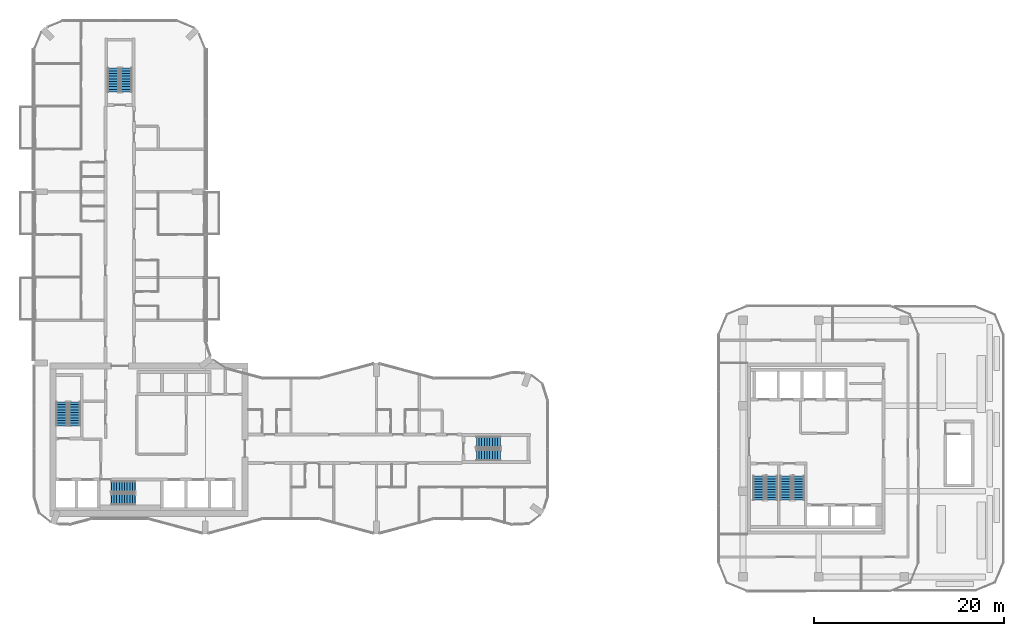
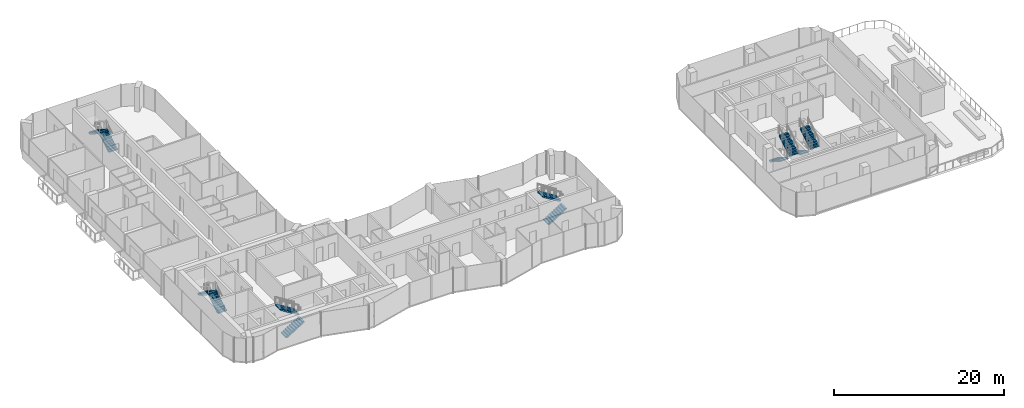
# One storey, part 19 of 22: 12 stair flights, 6 elements without a shape of their own.
"""IFC4 building model written with IfcOpenShell, lengths in metres."""

import ifcopenshell
import ifcopenshell.guid

model = None  # the IFC model being written
_history = None  # IfcOwnerHistory: only IFC2X3 demands one
_inside = {}  # id of a spatial element -> (the spatial element, [elements in it])
_under = {}  # id of a project, library or spatial element -> (it, [spatial elements below it])
_declared = {}  # id of a project -> (the project, [libraries it declares])
_typed = {}  # id of a type object -> (the type object, [elements of that type])
_made_of = {}  # id of a material, layer set ... -> (it, [elements and type objects made of it])


def new_model(schema):
    """Start an empty IFC model of exactly this schema.

    Asked for "IFC4X3", IfcOpenShell would pick the latest addendum, in which some entities
    have other attributes; the version numbers below select the first issue.
    IFC2X3 requires an IfcOwnerHistory on every rooted entity: one is made here for all.
    """
    global model, _history
    if schema == "IFC4X3":
        model = ifcopenshell.file(schema_version=(4, 3, 0, 0))
    else:
        model = ifcopenshell.file(schema=schema)
    _inside.clear()
    _under.clear()
    _declared.clear()
    _typed.clear()
    _made_of.clear()
    _history = None
    if model.schema == "IFC2X3":
        org = make("IfcOrganization", Name="unknown")
        user = make(
            "IfcPersonAndOrganization",
            ThePerson=make("IfcPerson", FamilyName="unknown"),
            TheOrganization=org,
        )
        app = make(
            "IfcApplication",
            ApplicationDeveloper=org,
            Version="unknown",
            ApplicationFullName="unknown",
            ApplicationIdentifier="unknown",
        )
        _history = make(
            "IfcOwnerHistory",
            OwningUser=user,
            OwningApplication=app,
            ChangeAction="ADDED",
            CreationDate=0,
        )
    return model


def make(cls, **values):
    """One entity of the class cls with the attributes given. An attribute that is None is left unset."""
    return model.create_entity(
        cls, **{name: value for name, value in values.items() if value is not None}
    )


def rooted(cls, **values):
    """An entity with a GlobalId (a new one), such as an element, a storey or a relation."""
    return make(cls, GlobalId=ifcopenshell.guid.new(), OwnerHistory=_history, **values)


def si_unit(unit_type, name, prefix=None):
    """IfcSIUnit, for example si_unit("LENGTHUNIT", "METRE", prefix="MILLI")."""
    return make("IfcSIUnit", UnitType=unit_type, Prefix=prefix, Name=name)


def assignment(units):
    """IfcUnitAssignment: the units of a project."""
    return None if units is None else make("IfcUnitAssignment", Units=units)


def point(xyz):
    """IfcCartesianPoint."""
    return None if xyz is None else make("IfcCartesianPoint", Coordinates=xyz)


def direction(xyz):
    """IfcDirection."""
    return None if xyz is None else make("IfcDirection", DirectionRatios=xyz)


def frame(location, z_axis=None, x_axis=None):
    """IfcAxis2Placement3D, a coordinate frame: its origin and axes. An axis left out is left unset."""
    return make(
        "IfcAxis2Placement3D",
        Location=point(location),
        Axis=direction(z_axis),
        RefDirection=direction(x_axis),
    )


def origin():
    """The frame at (0, 0, 0) with its axes left unset."""
    return frame((0.0, 0.0, 0.0))


def place(relative_to, where):
    """IfcLocalPlacement: puts the frame where relative to a parent placement (None: the world)."""
    return make(
        "IfcLocalPlacement", PlacementRelTo=relative_to, RelativePlacement=where
    )


def context(
    kind, dimensions, precision=None, world=None, true_north=None, identifier=None
):
    """IfcGeometricRepresentationContext, for example the 3D "Model" context."""
    return make(
        "IfcGeometricRepresentationContext",
        ContextIdentifier=identifier,
        ContextType=kind,
        CoordinateSpaceDimension=dimensions,
        Precision=precision,
        WorldCoordinateSystem=world,
        TrueNorth=true_north,
    )


def subcontext(parent, identifier, kind, view, scale=None):
    """IfcGeometricRepresentationSubContext, for example "Body" below "Model"."""
    return make(
        "IfcGeometricRepresentationSubContext",
        ContextIdentifier=identifier,
        ContextType=kind,
        ParentContext=parent,
        TargetScale=scale,
        TargetView=view,
    )


def project(units=None, contexts=None):
    """IfcProject with its units and contexts."""
    return rooted(
        "IfcProject",
        Name="project",
        RepresentationContexts=contexts,
        UnitsInContext=assignment(units),
    )


def spatial(cls, under=None, at=None, **own):
    """A site, building, storey or space (cls), placed at a placement, below another one or the project."""
    s = rooted(cls, ObjectPlacement=at, **own)
    if under is not None:
        _under.setdefault(under.id(), (under, []))[1].append(s)
    return s


def polyline(points):
    """IfcPolyline through the points."""
    return make("IfcPolyline", Points=[point(p) for p in points])


def outline(outer, holes=None, kind="AREA"):
    """IfcArbitraryClosedProfileDef: a profile drawn as a closed curve; with holes, ...WithVoids."""
    if holes is None:
        return make("IfcArbitraryClosedProfileDef", ProfileType=kind, OuterCurve=outer)
    return make(
        "IfcArbitraryProfileDefWithVoids",
        ProfileType=kind,
        OuterCurve=outer,
        InnerCurves=holes,
    )


def extrude(swept, where, along, depth):
    """IfcExtrudedAreaSolid: the profile swept, set in the frame where, extruded along a direction by depth."""
    return make(
        "IfcExtrudedAreaSolid",
        SweptArea=swept,
        Position=where,
        ExtrudedDirection=direction(along),
        Depth=depth,
    )


def shape(context_of_items, identifier, shape_type, items):
    """IfcShapeRepresentation: the items that make up one representation, for example the "Body"."""
    return make(
        "IfcShapeRepresentation",
        ContextOfItems=context_of_items,
        RepresentationIdentifier=identifier,
        RepresentationType=shape_type,
        Items=items,
    )


def material(Name=None, Category=None):
    """IfcMaterial."""
    return make("IfcMaterial", Name=Name, Category=Category)


def made_of(thing, what):
    """Note that an element or type object is made of a material, layer set ...; save() writes the relation."""
    if what is not None:
        _made_of.setdefault(what.id(), (what, []))[1].append(thing)
    return thing


def type_object(cls, material=None, **own):
    """A type object (cls), such as IfcWallType, which elements share."""
    return made_of(rooted(cls, **own), material)


def element(
    cls,
    number,
    at=None,
    inside=None,
    cuts=None,
    type_object=None,
    material=None,
    context=None,
    identifier="Body",
    shape_type=None,
    held_by="IfcProductDefinitionShape",
    body=None,
    shapes=None,
    **own,
):
    """One element of the class cls, such as IfcWall. Its Tag is "e" and its number.

    at: its placement. inside: the storey or other place that contains it. cuts: it is an
    opening in that element (IfcRelVoidsElement). A single representation is given by context,
    identifier, shape_type and body (its items); several are given by shapes. held_by: the class
    of the entity that holds the representations. save() writes the other relations.
    """
    e = rooted(cls, Tag="e%d" % number, ObjectPlacement=at, **own)
    if body is not None:
        shapes = [shape(context, identifier, shape_type, body)]
    if shapes is not None:
        e.Representation = make(held_by, Representations=shapes)
    if inside is not None:
        _inside.setdefault(inside.id(), (inside, []))[1].append(e)
    if cuts is not None:
        rooted(
            "IfcRelVoidsElement", RelatingBuildingElement=cuts, RelatedOpeningElement=e
        )
    if type_object is not None:
        _typed.setdefault(type_object.id(), (type_object, []))[1].append(e)
    return made_of(e, material)


def aggregate(whole, parts):
    """IfcRelAggregates: a whole, such as a stair, and the parts it consists of."""
    return rooted("IfcRelAggregates", RelatingObject=whole, RelatedObjects=parts)


def save(model, path):
    """Write the relations noted so far, then the file.

    IfcRelAggregates (storeys below a building ...), IfcRelContainedInSpatialStructure (elements
    in a storey), IfcRelDefinesByType, IfcRelAssociatesMaterial and IfcRelDeclares: one each for
    every whole, place, type object, material and project.
    """
    for whole, parts in _under.values():
        aggregate(whole, parts)
    for where, things in _inside.values():
        rooted(
            "IfcRelContainedInSpatialStructure",
            RelatedElements=things,
            RelatingStructure=where,
        )
    for kind, things in _typed.values():
        rooted("IfcRelDefinesByType", RelatedObjects=things, RelatingType=kind)
    for what, things in _made_of.values():
        rooted("IfcRelAssociatesMaterial", RelatedObjects=things, RelatingMaterial=what)
    for by, libraries in _declared.values():
        rooted("IfcRelDeclares", RelatingContext=by, RelatedDefinitions=libraries)
    model.write(path)


model = new_model("IFC4")

# Units and contexts
model_context = context("Model", 3, precision=1e-05, world=origin(), true_north=direction((0.0, 1.0)))
body_context = subcontext(model_context, "Body", "Model", "MODEL_VIEW")
ifc_project = project(units=[si_unit("LENGTHUNIT", "METRE"), si_unit("AREAUNIT", "SQUARE_METRE"), si_unit("VOLUMEUNIT", "CUBIC_METRE"), si_unit("PLANEANGLEUNIT", "RADIAN"), si_unit("MASSUNIT", "GRAM", prefix="KILO")], contexts=[model_context])

# Site, building, storey
site_placement = place(None, origin())
site = spatial("IfcSite", under=ifc_project, at=site_placement, CompositionType="ELEMENT")
building_placement = place(site_placement, origin())
building = spatial("IfcBuilding", under=site, at=building_placement, Name="Plateau Cross Towers", CompositionType="ELEMENT")
storey_placement = place(building_placement, frame((0.0, 0.0, 116.800048828125)))
storey = spatial("IfcBuildingStorey", under=building, at=storey_placement, Name="L30", CompositionType="ELEMENT", Elevation=116.800048828125)

# Stair, stair flights
ifc_material = material(Name="Concrete C40/50", Category="concrete")
stair_type = type_object("IfcStairType", Name="ST-TWR", PredefinedType="HALF_TURN_STAIR", material=ifc_material)
stair_1_placement = place(storey_placement, origin())
stair_1 = element("IfcStair", 1, at=stair_1_placement, inside=storey, type_object=stair_type, Name="L30 Protected Exit Stair ST-1", PredefinedType="HALF_TURN_STAIR")
stair_flight_type = type_object("IfcStairFlightType", Name="SFL-RC", PredefinedType="STRAIGHT", material=ifc_material)
stair_flight_1_placement = place(storey_placement, frame((4.25, 11.39990234375, 0.0), z_axis=(0.0, 0.0, 1.0), x_axis=(0.0, 1.0, 0.0)))
stair_flight_1 = element("IfcStairFlight", 2, at=stair_flight_1_placement, type_object=stair_flight_type, Name="ST-1 flight 1", NumberOfRisers=10, NumberOfTreads=9, PredefinedType="STRAIGHT", RiserHeight=0.175, TreadLength=0.28, context=body_context, shape_type="SweptSolid", body=[
    extrude(outline(polyline([(-0.0048828125, -0.010009765625), (-0.0048828125, 0.0), (0.0, 0.0), (0.0, 0.175048828125), (0.280029296875, 0.175048828125), (0.280029296875, 0.35009765625), (0.56005859375, 0.35009765625), (0.56005859375, 0.52490234375), (0.840087890625, 0.52490234375), (0.840087890625, 0.699951171875), (1.1201171875, 0.699951171875), (1.1201171875, 0.875), (1.39990234375, 0.875), (1.39990234375, 1.050048828125), (1.679931640625, 1.050048828125), (1.679931640625, 1.22509765625), (1.9599609375, 1.22509765625), (1.9599609375, 1.39990234375), (2.239990234375, 1.39990234375), (2.239990234375, 1.574951171875), (2.52001953125, 1.574951171875), (2.52490234375, 1.56494140625), (2.52490234375, 1.398193359375), (2.52001953125, 1.398193359375), (0.28271484375, 0.0), (0.02001953125, 0.0), (0.02001953125, -0.010009765625), (-0.0048828125, -0.010009765625)])), frame((0.0, 0.60009765625, 0.0), z_axis=(0.0, -1.0, 0.0), x_axis=(1.0, 0.0, 0.0)), (0.0, 0.0, 1.0), 1.199951171875),
])
stair_flight_2_placement = place(storey_placement, frame((2.89990234375, 13.919921875, 1.75), z_axis=(0.0, 0.0, 1.0), x_axis=(0.0, -1.0, 0.0)))
stair_flight_2 = element("IfcStairFlight", 3, at=stair_flight_2_placement, type_object=stair_flight_type, Name="ST-1 flight 2", NumberOfRisers=10, NumberOfTreads=9, PredefinedType="STRAIGHT", RiserHeight=0.175, TreadLength=0.28, context=body_context, shape_type="SweptSolid", body=[
    extrude(outline(polyline([(-0.0048828125, -0.010009765625), (-0.0048828125, 0.0), (0.0, 0.0), (0.0, 0.175048828125), (0.280029296875, 0.175048828125), (0.280029296875, 0.35009765625), (0.56005859375, 0.35009765625), (0.56005859375, 0.52490234375), (0.840087890625, 0.52490234375), (0.840087890625, 0.699951171875), (1.1201171875, 0.699951171875), (1.1201171875, 0.875), (1.39990234375, 0.875), (1.39990234375, 1.050048828125), (1.679931640625, 1.050048828125), (1.679931640625, 1.22509765625), (1.9599609375, 1.22509765625), (1.9599609375, 1.39990234375), (2.239990234375, 1.39990234375), (2.239990234375, 1.574951171875), (2.52001953125, 1.574951171875), (2.52490234375, 1.56494140625), (2.52490234375, 1.398193359375), (2.52001953125, 1.398193359375), (0.28271484375, 0.0), (0.02001953125, 0.0), (0.02001953125, -0.010009765625), (-0.0048828125, -0.010009765625)])), frame((0.0, 0.60009765625, 0.0), z_axis=(0.0, -1.0, 0.0), x_axis=(1.0, 0.0, 0.0)), (0.0, 0.0, 1.0), 1.199951171875),
])
aggregate(stair_1, [stair_flight_1, stair_flight_2])

stair_2_placement = place(storey_placement, origin())
stair_2 = element("IfcStair", 4, at=stair_2_placement, inside=storey, type_object=stair_type, Name="L30 Protected Exit Stair ST-2", PredefinedType="HALF_TURN_STAIR")
stair_flight_3_placement = place(storey_placement, frame((8.10009765625, 3.64990234375, 0.0), z_axis=(0.0, 0.0, 1.0), x_axis=(1.0, 0.0, 0.0)))
stair_flight_3 = element("IfcStairFlight", 5, at=stair_flight_3_placement, type_object=stair_flight_type, Name="ST-2 flight 1", NumberOfRisers=10, NumberOfTreads=9, PredefinedType="STRAIGHT", RiserHeight=0.175, TreadLength=0.28, context=body_context, shape_type="SweptSolid", body=[
    extrude(outline(polyline([(-0.0048828125, -0.010009765625), (-0.0048828125, 0.0), (0.0, 0.0), (0.0, 0.175048828125), (0.280029296875, 0.175048828125), (0.280029296875, 0.35009765625), (0.56005859375, 0.35009765625), (0.56005859375, 0.52490234375), (0.840087890625, 0.52490234375), (0.840087890625, 0.699951171875), (1.1201171875, 0.699951171875), (1.1201171875, 0.875), (1.39990234375, 0.875), (1.39990234375, 1.050048828125), (1.679931640625, 1.050048828125), (1.679931640625, 1.22509765625), (1.9599609375, 1.22509765625), (1.9599609375, 1.39990234375), (2.239990234375, 1.39990234375), (2.239990234375, 1.574951171875), (2.52001953125, 1.574951171875), (2.52490234375, 1.56494140625), (2.52490234375, 1.398193359375), (2.52001953125, 1.398193359375), (0.28271484375, 0.0), (0.02001953125, 0.0), (0.02001953125, -0.010009765625), (-0.0048828125, -0.010009765625)])), frame((0.0, 0.60009765625, 0.0), z_axis=(0.0, -1.0, 0.0), x_axis=(1.0, 0.0, 0.0)), (0.0, 0.0, 1.0), 1.199951171875),
])
stair_flight_4_placement = place(storey_placement, frame((10.6201171875, 5.0, 1.75), z_axis=(0.0, 0.0, 1.0), x_axis=(-1.0, 0.0, 0.0)))
stair_flight_4 = element("IfcStairFlight", 6, at=stair_flight_4_placement, type_object=stair_flight_type, Name="ST-2 flight 2", NumberOfRisers=10, NumberOfTreads=9, PredefinedType="STRAIGHT", RiserHeight=0.175, TreadLength=0.28, context=body_context, shape_type="SweptSolid", body=[
    extrude(outline(polyline([(-0.0048828125, -0.010009765625), (-0.0048828125, 0.0), (0.0, 0.0), (0.0, 0.175048828125), (0.280029296875, 0.175048828125), (0.280029296875, 0.35009765625), (0.56005859375, 0.35009765625), (0.56005859375, 0.52490234375), (0.840087890625, 0.52490234375), (0.840087890625, 0.699951171875), (1.1201171875, 0.699951171875), (1.1201171875, 0.875), (1.39990234375, 0.875), (1.39990234375, 1.050048828125), (1.679931640625, 1.050048828125), (1.679931640625, 1.22509765625), (1.9599609375, 1.22509765625), (1.9599609375, 1.39990234375), (2.239990234375, 1.39990234375), (2.239990234375, 1.574951171875), (2.52001953125, 1.574951171875), (2.52490234375, 1.56494140625), (2.52490234375, 1.398193359375), (2.52001953125, 1.398193359375), (0.28271484375, 0.0), (0.02001953125, 0.0), (0.02001953125, -0.010009765625), (-0.0048828125, -0.010009765625)])), frame((0.0, 0.60009765625, 0.0), z_axis=(0.0, -1.0, 0.0), x_axis=(1.0, 0.0, 0.0)), (0.0, 0.0, 1.0), 1.199951171875),
])
aggregate(stair_2, [stair_flight_3, stair_flight_4])

stair_3_placement = place(storey_placement, origin())
stair_3 = element("IfcStair", 7, at=stair_3_placement, inside=storey, type_object=stair_type, Name="L30 Protected Exit Stair SB-1", PredefinedType="HALF_TURN_STAIR")
stair_flight_5_placement = place(storey_placement, frame((76.199951171875, 6.10009765625, 0.0), z_axis=(0.0, 0.0, 1.0), x_axis=(0.0, -1.0, 0.0)))
stair_flight_5 = element("IfcStairFlight", 8, at=stair_flight_5_placement, type_object=stair_flight_type, Name="SB-1 flight 1", NumberOfRisers=10, NumberOfTreads=9, PredefinedType="STRAIGHT", RiserHeight=0.175, TreadLength=0.28, context=body_context, shape_type="SweptSolid", body=[
    extrude(outline(polyline([(-0.0048828125, -0.010009765625), (-0.0048828125, 0.0), (0.0, 0.0), (0.0, 0.175048828125), (0.280029296875, 0.175048828125), (0.280029296875, 0.35009765625), (0.56005859375, 0.35009765625), (0.56005859375, 0.52490234375), (0.840087890625, 0.52490234375), (0.840087890625, 0.699951171875), (1.1201171875, 0.699951171875), (1.1201171875, 0.875), (1.39990234375, 0.875), (1.39990234375, 1.050048828125), (1.679931640625, 1.050048828125), (1.679931640625, 1.22509765625), (1.9599609375, 1.22509765625), (1.9599609375, 1.39990234375), (2.239990234375, 1.39990234375), (2.239990234375, 1.574951171875), (2.52001953125, 1.574951171875), (2.52490234375, 1.56494140625), (2.52490234375, 1.398193359375), (2.52001953125, 1.398193359375), (0.28271484375, 0.0), (0.02001953125, 0.0), (0.02001953125, -0.010009765625), (-0.0048828125, -0.010009765625)])), frame((0.0, 0.60009765625, 0.0), z_axis=(0.0, -1.0, 0.0), x_axis=(1.0, 0.0, 0.0)), (0.0, 0.0, 1.0), 1.199951171875),
])
stair_flight_6_placement = place(storey_placement, frame((77.550048828125, 3.580078125, 1.75), z_axis=(0.0, 0.0, 1.0), x_axis=(0.0, 1.0, 0.0)))
stair_flight_6 = element("IfcStairFlight", 9, at=stair_flight_6_placement, type_object=stair_flight_type, Name="SB-1 flight 2", NumberOfRisers=10, NumberOfTreads=9, PredefinedType="STRAIGHT", RiserHeight=0.175, TreadLength=0.28, context=body_context, shape_type="SweptSolid", body=[
    extrude(outline(polyline([(-0.0048828125, -0.010009765625), (-0.0048828125, 0.0), (0.0, 0.0), (0.0, 0.175048828125), (0.280029296875, 0.175048828125), (0.280029296875, 0.35009765625), (0.56005859375, 0.35009765625), (0.56005859375, 0.52490234375), (0.840087890625, 0.52490234375), (0.840087890625, 0.699951171875), (1.1201171875, 0.699951171875), (1.1201171875, 0.875), (1.39990234375, 0.875), (1.39990234375, 1.050048828125), (1.679931640625, 1.050048828125), (1.679931640625, 1.22509765625), (1.9599609375, 1.22509765625), (1.9599609375, 1.39990234375), (2.239990234375, 1.39990234375), (2.239990234375, 1.574951171875), (2.52001953125, 1.574951171875), (2.52490234375, 1.56494140625), (2.52490234375, 1.398193359375), (2.52001953125, 1.398193359375), (0.28271484375, 0.0), (0.02001953125, 0.0), (0.02001953125, -0.010009765625), (-0.0048828125, -0.010009765625)])), frame((0.0, 0.60009765625, 0.0), z_axis=(0.0, -1.0, 0.0), x_axis=(1.0, 0.0, 0.0)), (0.0, 0.0, 1.0), 1.199951171875),
])
aggregate(stair_3, [stair_flight_5, stair_flight_6])

stair_4_placement = place(storey_placement, origin())
stair_4 = element("IfcStair", 10, at=stair_4_placement, inside=storey, type_object=stair_type, Name="L30 Protected Exit Stair SB-2", PredefinedType="HALF_TURN_STAIR")
stair_flight_7_placement = place(storey_placement, frame((79.050048828125, 6.10009765625, 0.0), z_axis=(0.0, 0.0, 1.0), x_axis=(0.0, -1.0, 0.0)))
stair_flight_7 = element("IfcStairFlight", 11, at=stair_flight_7_placement, type_object=stair_flight_type, Name="SB-2 flight 1", NumberOfRisers=10, NumberOfTreads=9, PredefinedType="STRAIGHT", RiserHeight=0.175, TreadLength=0.28, context=body_context, shape_type="SweptSolid", body=[
    extrude(outline(polyline([(-0.0048828125, -0.010009765625), (-0.0048828125, 0.0), (0.0, 0.0), (0.0, 0.175048828125), (0.280029296875, 0.175048828125), (0.280029296875, 0.35009765625), (0.56005859375, 0.35009765625), (0.56005859375, 0.52490234375), (0.840087890625, 0.52490234375), (0.840087890625, 0.699951171875), (1.1201171875, 0.699951171875), (1.1201171875, 0.875), (1.39990234375, 0.875), (1.39990234375, 1.050048828125), (1.679931640625, 1.050048828125), (1.679931640625, 1.22509765625), (1.9599609375, 1.22509765625), (1.9599609375, 1.39990234375), (2.239990234375, 1.39990234375), (2.239990234375, 1.574951171875), (2.52001953125, 1.574951171875), (2.52490234375, 1.56494140625), (2.52490234375, 1.398193359375), (2.52001953125, 1.398193359375), (0.28271484375, 0.0), (0.02001953125, 0.0), (0.02001953125, -0.010009765625), (-0.0048828125, -0.010009765625)])), frame((0.0, 0.60009765625, 0.0), z_axis=(0.0, -1.0, 0.0), x_axis=(1.0, 0.0, 0.0)), (0.0, 0.0, 1.0), 1.199951171875),
])
stair_flight_8_placement = place(storey_placement, frame((80.39990234375, 3.580078125, 1.75), z_axis=(0.0, 0.0, 1.0), x_axis=(0.0, 1.0, 0.0)))
stair_flight_8 = element("IfcStairFlight", 12, at=stair_flight_8_placement, type_object=stair_flight_type, Name="SB-2 flight 2", NumberOfRisers=10, NumberOfTreads=9, PredefinedType="STRAIGHT", RiserHeight=0.175, TreadLength=0.28, context=body_context, shape_type="SweptSolid", body=[
    extrude(outline(polyline([(-0.0048828125, -0.010009765625), (-0.0048828125, 0.0), (0.0, 0.0), (0.0, 0.175048828125), (0.280029296875, 0.175048828125), (0.280029296875, 0.35009765625), (0.56005859375, 0.35009765625), (0.56005859375, 0.52490234375), (0.840087890625, 0.52490234375), (0.840087890625, 0.699951171875), (1.1201171875, 0.699951171875), (1.1201171875, 0.875), (1.39990234375, 0.875), (1.39990234375, 1.050048828125), (1.679931640625, 1.050048828125), (1.679931640625, 1.22509765625), (1.9599609375, 1.22509765625), (1.9599609375, 1.39990234375), (2.239990234375, 1.39990234375), (2.239990234375, 1.574951171875), (2.52001953125, 1.574951171875), (2.52490234375, 1.56494140625), (2.52490234375, 1.398193359375), (2.52001953125, 1.398193359375), (0.28271484375, 0.0), (0.02001953125, 0.0), (0.02001953125, -0.010009765625), (-0.0048828125, -0.010009765625)])), frame((0.0, 0.60009765625, 0.0), z_axis=(0.0, -1.0, 0.0), x_axis=(1.0, 0.0, 0.0)), (0.0, 0.0, 1.0), 1.199951171875),
])
aggregate(stair_4, [stair_flight_7, stair_flight_8])

stair_5_placement = place(storey_placement, origin())
stair_5 = element("IfcStair", 13, at=stair_5_placement, inside=storey, type_object=stair_type, Name="L30 Protected Exit Stair E", PredefinedType="HALF_TURN_STAIR")
stair_flight_9_placement = place(storey_placement, frame((46.5, 8.324951171875, 0.0), z_axis=(0.0, 0.0, 1.0), x_axis=(1.0, 0.0, 0.0)))
stair_flight_9 = element("IfcStairFlight", 14, at=stair_flight_9_placement, type_object=stair_flight_type, Name="ES-E flight 1", NumberOfRisers=10, NumberOfTreads=9, PredefinedType="STRAIGHT", RiserHeight=0.175, TreadLength=0.28, context=body_context, shape_type="SweptSolid", body=[
    extrude(outline(polyline([(-0.0048828125, -0.010009765625), (-0.0048828125, 0.0), (0.0, 0.0), (0.0, 0.175048828125), (0.280029296875, 0.175048828125), (0.280029296875, 0.35009765625), (0.56005859375, 0.35009765625), (0.56005859375, 0.52490234375), (0.840087890625, 0.52490234375), (0.840087890625, 0.699951171875), (1.1201171875, 0.699951171875), (1.1201171875, 0.875), (1.39990234375, 0.875), (1.39990234375, 1.050048828125), (1.679931640625, 1.050048828125), (1.679931640625, 1.22509765625), (1.9599609375, 1.22509765625), (1.9599609375, 1.39990234375), (2.239990234375, 1.39990234375), (2.239990234375, 1.574951171875), (2.52001953125, 1.574951171875), (2.52490234375, 1.56494140625), (2.52490234375, 1.398193359375), (2.52001953125, 1.398193359375), (0.28271484375, 0.0), (0.02001953125, 0.0), (0.02001953125, -0.010009765625), (-0.0048828125, -0.010009765625)])), frame((0.0, 0.60009765625, 0.0), z_axis=(0.0, -1.0, 0.0), x_axis=(1.0, 0.0, 0.0)), (0.0, 0.0, 1.0), 1.199951171875),
])
stair_flight_10_placement = place(storey_placement, frame((49.02001953125, 9.675048828125, 1.75), z_axis=(0.0, 0.0, 1.0), x_axis=(-1.0, 0.0, 0.0)))
stair_flight_10 = element("IfcStairFlight", 15, at=stair_flight_10_placement, type_object=stair_flight_type, Name="ES-E flight 2", NumberOfRisers=10, NumberOfTreads=9, PredefinedType="STRAIGHT", RiserHeight=0.175, TreadLength=0.28, context=body_context, shape_type="SweptSolid", body=[
    extrude(outline(polyline([(-0.0048828125, -0.010009765625), (-0.0048828125, 0.0), (0.0, 0.0), (0.0, 0.175048828125), (0.280029296875, 0.175048828125), (0.280029296875, 0.35009765625), (0.56005859375, 0.35009765625), (0.56005859375, 0.52490234375), (0.840087890625, 0.52490234375), (0.840087890625, 0.699951171875), (1.1201171875, 0.699951171875), (1.1201171875, 0.875), (1.39990234375, 0.875), (1.39990234375, 1.050048828125), (1.679931640625, 1.050048828125), (1.679931640625, 1.22509765625), (1.9599609375, 1.22509765625), (1.9599609375, 1.39990234375), (2.239990234375, 1.39990234375), (2.239990234375, 1.574951171875), (2.52001953125, 1.574951171875), (2.52490234375, 1.56494140625), (2.52490234375, 1.398193359375), (2.52001953125, 1.398193359375), (0.28271484375, 0.0), (0.02001953125, 0.0), (0.02001953125, -0.010009765625), (-0.0048828125, -0.010009765625)])), frame((0.0, 0.60009765625, 0.0), z_axis=(0.0, -1.0, 0.0), x_axis=(1.0, 0.0, 0.0)), (0.0, 0.0, 1.0), 1.199951171875),
])
aggregate(stair_5, [stair_flight_9, stair_flight_10])

stair_6_placement = place(storey_placement, origin())
stair_6 = element("IfcStair", 16, at=stair_6_placement, inside=storey, type_object=stair_type, Name="L30 Protected Exit Stair N", PredefinedType="HALF_TURN_STAIR")
stair_flight_11_placement = place(storey_placement, frame((9.675048828125, 46.5, 0.0), z_axis=(0.0, 0.0, 1.0), x_axis=(0.0, 1.0, 0.0)))
stair_flight_11 = element("IfcStairFlight", 17, at=stair_flight_11_placement, type_object=stair_flight_type, Name="ES-N flight 1", NumberOfRisers=10, NumberOfTreads=9, PredefinedType="STRAIGHT", RiserHeight=0.175, TreadLength=0.28, context=body_context, shape_type="SweptSolid", body=[
    extrude(outline(polyline([(-0.0048828125, -0.010009765625), (-0.0048828125, 0.0), (0.0, 0.0), (0.0, 0.175048828125), (0.280029296875, 0.175048828125), (0.280029296875, 0.35009765625), (0.56005859375, 0.35009765625), (0.56005859375, 0.52490234375), (0.840087890625, 0.52490234375), (0.840087890625, 0.699951171875), (1.1201171875, 0.699951171875), (1.1201171875, 0.875), (1.39990234375, 0.875), (1.39990234375, 1.050048828125), (1.679931640625, 1.050048828125), (1.679931640625, 1.22509765625), (1.9599609375, 1.22509765625), (1.9599609375, 1.39990234375), (2.239990234375, 1.39990234375), (2.239990234375, 1.574951171875), (2.52001953125, 1.574951171875), (2.52490234375, 1.56494140625), (2.52490234375, 1.398193359375), (2.52001953125, 1.398193359375), (0.28271484375, 0.0), (0.02001953125, 0.0), (0.02001953125, -0.010009765625), (-0.0048828125, -0.010009765625)])), frame((0.0, 0.60009765625, 0.0), z_axis=(0.0, -1.0, 0.0), x_axis=(1.0, 0.0, 0.0)), (0.0, 0.0, 1.0), 1.199951171875),
])
stair_flight_12_placement = place(storey_placement, frame((8.324951171875, 49.02001953125, 1.75), z_axis=(0.0, 0.0, 1.0), x_axis=(0.0, -1.0, 0.0)))
stair_flight_12 = element("IfcStairFlight", 18, at=stair_flight_12_placement, type_object=stair_flight_type, Name="ES-N flight 2", NumberOfRisers=10, NumberOfTreads=9, PredefinedType="STRAIGHT", RiserHeight=0.175, TreadLength=0.28, context=body_context, shape_type="SweptSolid", body=[
    extrude(outline(polyline([(-0.0048828125, -0.010009765625), (-0.0048828125, 0.0), (0.0, 0.0), (0.0, 0.175048828125), (0.280029296875, 0.175048828125), (0.280029296875, 0.35009765625), (0.56005859375, 0.35009765625), (0.56005859375, 0.52490234375), (0.840087890625, 0.52490234375), (0.840087890625, 0.699951171875), (1.1201171875, 0.699951171875), (1.1201171875, 0.875), (1.39990234375, 0.875), (1.39990234375, 1.050048828125), (1.679931640625, 1.050048828125), (1.679931640625, 1.22509765625), (1.9599609375, 1.22509765625), (1.9599609375, 1.39990234375), (2.239990234375, 1.39990234375), (2.239990234375, 1.574951171875), (2.52001953125, 1.574951171875), (2.52490234375, 1.56494140625), (2.52490234375, 1.398193359375), (2.52001953125, 1.398193359375), (0.28271484375, 0.0), (0.02001953125, 0.0), (0.02001953125, -0.010009765625), (-0.0048828125, -0.010009765625)])), frame((0.0, 0.60009765625, 0.0), z_axis=(0.0, -1.0, 0.0), x_axis=(1.0, 0.0, 0.0)), (0.0, 0.0, 1.0), 1.199951171875),
])
aggregate(stair_6, [stair_flight_11, stair_flight_12])

save(model, "model.ifc")
